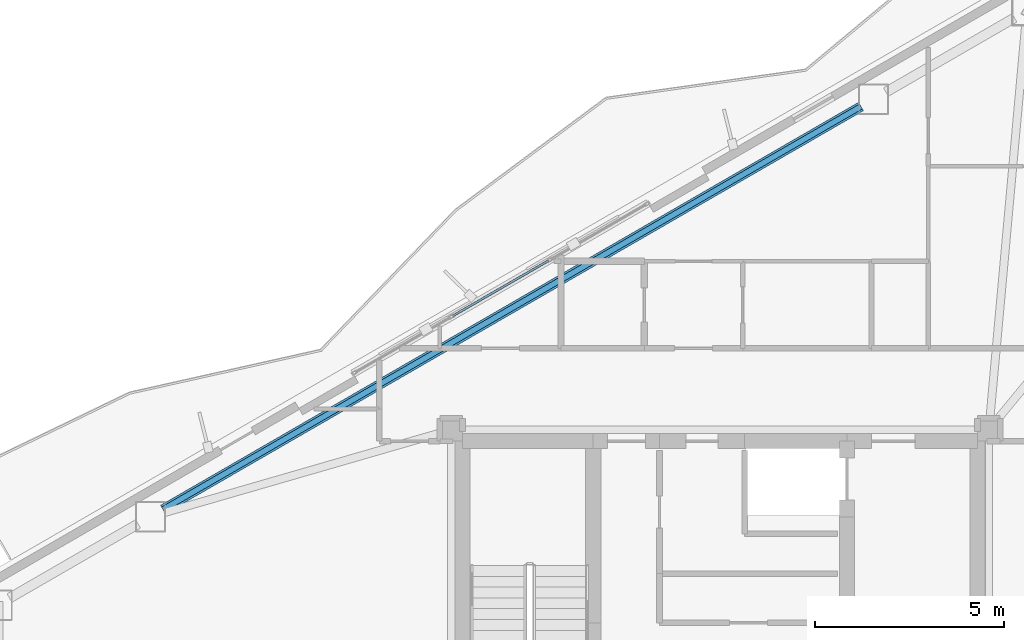
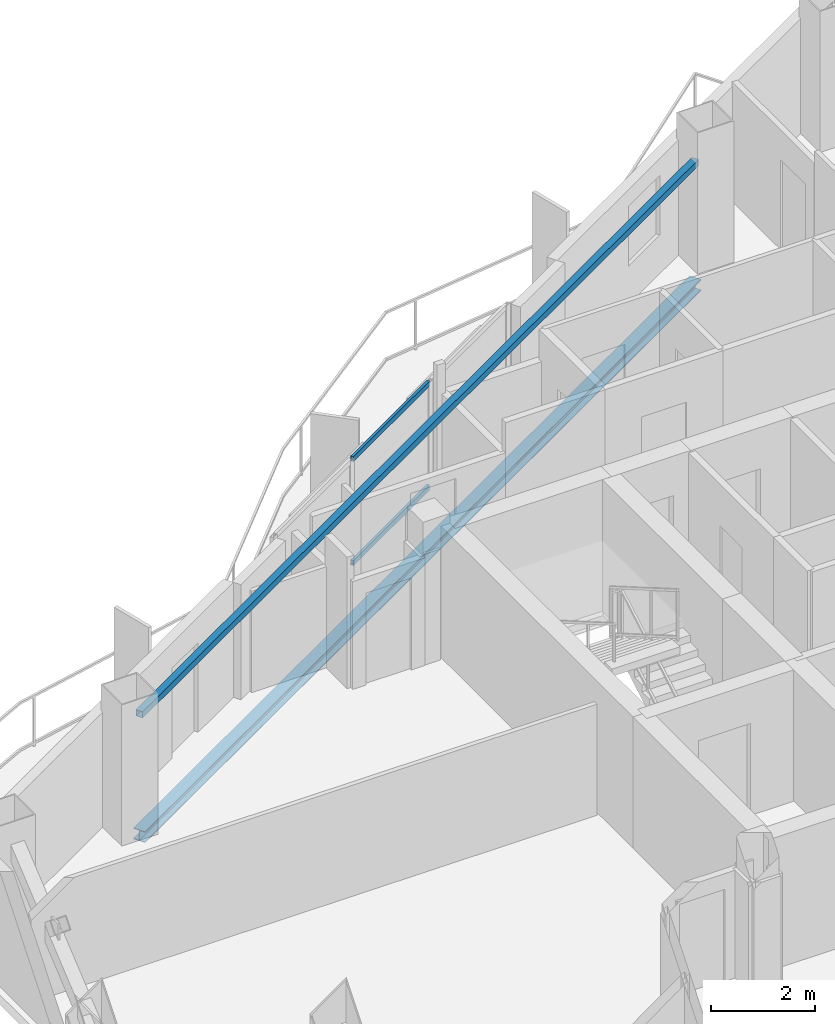
# One storey, part 9 of 22: 2 beams, 2 members, 1 element without a shape of its own.
"""IFC4 building model written with IfcOpenShell, lengths in metres."""

import ifcopenshell
import ifcopenshell.guid

model = None  # the IFC model being written
_history = None  # IfcOwnerHistory: only IFC2X3 demands one
_inside = {}  # id of a spatial element -> (the spatial element, [elements in it])
_under = {}  # id of a project, library or spatial element -> (it, [spatial elements below it])
_declared = {}  # id of a project -> (the project, [libraries it declares])
_typed = {}  # id of a type object -> (the type object, [elements of that type])
_made_of = {}  # id of a material, layer set ... -> (it, [elements and type objects made of it])


def new_model(schema):
    """Start an empty IFC model of exactly this schema.

    Asked for "IFC4X3", IfcOpenShell would pick the latest addendum, in which some entities
    have other attributes; the version numbers below select the first issue.
    IFC2X3 requires an IfcOwnerHistory on every rooted entity: one is made here for all.
    """
    global model, _history
    if schema == "IFC4X3":
        model = ifcopenshell.file(schema_version=(4, 3, 0, 0))
    else:
        model = ifcopenshell.file(schema=schema)
    _inside.clear()
    _under.clear()
    _declared.clear()
    _typed.clear()
    _made_of.clear()
    _history = None
    if model.schema == "IFC2X3":
        org = make("IfcOrganization", Name="unknown")
        user = make(
            "IfcPersonAndOrganization",
            ThePerson=make("IfcPerson", FamilyName="unknown"),
            TheOrganization=org,
        )
        app = make(
            "IfcApplication",
            ApplicationDeveloper=org,
            Version="unknown",
            ApplicationFullName="unknown",
            ApplicationIdentifier="unknown",
        )
        _history = make(
            "IfcOwnerHistory",
            OwningUser=user,
            OwningApplication=app,
            ChangeAction="ADDED",
            CreationDate=0,
        )
    return model


def make(cls, **values):
    """One entity of the class cls with the attributes given. An attribute that is None is left unset."""
    return model.create_entity(
        cls, **{name: value for name, value in values.items() if value is not None}
    )


def rooted(cls, **values):
    """An entity with a GlobalId (a new one), such as an element, a storey or a relation."""
    return make(cls, GlobalId=ifcopenshell.guid.new(), OwnerHistory=_history, **values)


def si_unit(unit_type, name, prefix=None):
    """IfcSIUnit, for example si_unit("LENGTHUNIT", "METRE", prefix="MILLI")."""
    return make("IfcSIUnit", UnitType=unit_type, Prefix=prefix, Name=name)


def assignment(units):
    """IfcUnitAssignment: the units of a project."""
    return None if units is None else make("IfcUnitAssignment", Units=units)


def point(xyz):
    """IfcCartesianPoint."""
    return None if xyz is None else make("IfcCartesianPoint", Coordinates=xyz)


def direction(xyz):
    """IfcDirection."""
    return None if xyz is None else make("IfcDirection", DirectionRatios=xyz)


def frame(location, z_axis=None, x_axis=None):
    """IfcAxis2Placement3D, a coordinate frame: its origin and axes. An axis left out is left unset."""
    return make(
        "IfcAxis2Placement3D",
        Location=point(location),
        Axis=direction(z_axis),
        RefDirection=direction(x_axis),
    )


def frame_2d(location, x_axis=None):
    """IfcAxis2Placement2D, a coordinate frame in the plane: its origin and x axis."""
    return make(
        "IfcAxis2Placement2D", Location=point(location), RefDirection=direction(x_axis)
    )


def origin():
    """The frame at (0, 0, 0) with its axes left unset."""
    return frame((0.0, 0.0, 0.0))


def origin_2d():
    """The frame at (0, 0) in the plane with its x axis left unset."""
    return frame_2d((0.0, 0.0))


def place(relative_to, where):
    """IfcLocalPlacement: puts the frame where relative to a parent placement (None: the world)."""
    return make(
        "IfcLocalPlacement", PlacementRelTo=relative_to, RelativePlacement=where
    )


def context(
    kind, dimensions, precision=None, world=None, true_north=None, identifier=None
):
    """IfcGeometricRepresentationContext, for example the 3D "Model" context."""
    return make(
        "IfcGeometricRepresentationContext",
        ContextIdentifier=identifier,
        ContextType=kind,
        CoordinateSpaceDimension=dimensions,
        Precision=precision,
        WorldCoordinateSystem=world,
        TrueNorth=true_north,
    )


def subcontext(parent, identifier, kind, view, scale=None):
    """IfcGeometricRepresentationSubContext, for example "Body" below "Model"."""
    return make(
        "IfcGeometricRepresentationSubContext",
        ContextIdentifier=identifier,
        ContextType=kind,
        ParentContext=parent,
        TargetScale=scale,
        TargetView=view,
    )


def project(units=None, contexts=None):
    """IfcProject with its units and contexts."""
    return rooted(
        "IfcProject",
        Name="project",
        RepresentationContexts=contexts,
        UnitsInContext=assignment(units),
    )


def spatial(cls, under=None, at=None, **own):
    """A site, building, storey or space (cls), placed at a placement, below another one or the project."""
    s = rooted(cls, ObjectPlacement=at, **own)
    if under is not None:
        _under.setdefault(under.id(), (under, []))[1].append(s)
    return s


def profile(cls, at=None, kind="AREA", **sizes):
    """A parametric profile (cls). Its sizes go by their IFC names, for example OverallWidth=200.0."""
    return make(cls, ProfileType=kind, Position=at, **sizes)


def hollow_rectangle(**sizes):
    """IfcRectangleHollowProfileDef."""
    return profile("IfcRectangleHollowProfileDef", **sizes)


def i_section(**sizes):
    """IfcIShapeProfileDef."""
    return profile("IfcIShapeProfileDef", **sizes)


def extrude(swept, where, along, depth):
    """IfcExtrudedAreaSolid: the profile swept, set in the frame where, extruded along a direction by depth."""
    return make(
        "IfcExtrudedAreaSolid",
        SweptArea=swept,
        Position=where,
        ExtrudedDirection=direction(along),
        Depth=depth,
    )


def shape(context_of_items, identifier, shape_type, items):
    """IfcShapeRepresentation: the items that make up one representation, for example the "Body"."""
    return make(
        "IfcShapeRepresentation",
        ContextOfItems=context_of_items,
        RepresentationIdentifier=identifier,
        RepresentationType=shape_type,
        Items=items,
    )


def material(Name=None, Category=None):
    """IfcMaterial."""
    return make("IfcMaterial", Name=Name, Category=Category)


def layer(
    of_material, thickness, ventilated=None, Name=None, Category=None, Priority=None
):
    """IfcMaterialLayer: one layer of a wall or slab, of a material (None: an air gap)."""
    return make(
        "IfcMaterialLayer",
        Material=of_material,
        LayerThickness=thickness,
        IsVentilated=ventilated,
        Name=Name,
        Category=Category,
        Priority=Priority,
    )


def layer_set(layers, Name=None):
    """IfcMaterialLayerSet."""
    return make("IfcMaterialLayerSet", MaterialLayers=layers, LayerSetName=Name)


def material_profile(
    of_material, cross_section, Name=None, Category=None, Priority=None
):
    """IfcMaterialProfile: a cross section and its material."""
    return make(
        "IfcMaterialProfile",
        Name=Name,
        Material=of_material,
        Profile=cross_section,
        Priority=Priority,
        Category=Category,
    )


def profile_set(profiles, Name=None, composite=None):
    """IfcMaterialProfileSet."""
    return make(
        "IfcMaterialProfileSet",
        Name=Name,
        MaterialProfiles=profiles,
        CompositeProfile=composite,
    )


def made_of(thing, what):
    """Note that an element or type object is made of a material, layer set ...; save() writes the relation."""
    if what is not None:
        _made_of.setdefault(what.id(), (what, []))[1].append(thing)
    return thing


def type_object(cls, material=None, **own):
    """A type object (cls), such as IfcWallType, which elements share."""
    return made_of(rooted(cls, **own), material)


def element(
    cls,
    number,
    at=None,
    inside=None,
    cuts=None,
    type_object=None,
    material=None,
    context=None,
    identifier="Body",
    shape_type=None,
    held_by="IfcProductDefinitionShape",
    body=None,
    shapes=None,
    **own,
):
    """One element of the class cls, such as IfcWall. Its Tag is "e" and its number.

    at: its placement. inside: the storey or other place that contains it. cuts: it is an
    opening in that element (IfcRelVoidsElement). A single representation is given by context,
    identifier, shape_type and body (its items); several are given by shapes. held_by: the class
    of the entity that holds the representations. save() writes the other relations.
    """
    e = rooted(cls, Tag="e%d" % number, ObjectPlacement=at, **own)
    if body is not None:
        shapes = [shape(context, identifier, shape_type, body)]
    if shapes is not None:
        e.Representation = make(held_by, Representations=shapes)
    if inside is not None:
        _inside.setdefault(inside.id(), (inside, []))[1].append(e)
    if cuts is not None:
        rooted(
            "IfcRelVoidsElement", RelatingBuildingElement=cuts, RelatedOpeningElement=e
        )
    if type_object is not None:
        _typed.setdefault(type_object.id(), (type_object, []))[1].append(e)
    return made_of(e, material)


def aggregate(whole, parts):
    """IfcRelAggregates: a whole, such as a stair, and the parts it consists of."""
    return rooted("IfcRelAggregates", RelatingObject=whole, RelatedObjects=parts)


def save(model, path):
    """Write the relations noted so far, then the file.

    IfcRelAggregates (storeys below a building ...), IfcRelContainedInSpatialStructure (elements
    in a storey), IfcRelDefinesByType, IfcRelAssociatesMaterial and IfcRelDeclares: one each for
    every whole, place, type object, material and project.
    """
    for whole, parts in _under.values():
        aggregate(whole, parts)
    for where, things in _inside.values():
        rooted(
            "IfcRelContainedInSpatialStructure",
            RelatedElements=things,
            RelatingStructure=where,
        )
    for kind, things in _typed.values():
        rooted("IfcRelDefinesByType", RelatedObjects=things, RelatingType=kind)
    for what, things in _made_of.values():
        rooted("IfcRelAssociatesMaterial", RelatedObjects=things, RelatingMaterial=what)
    for by, libraries in _declared.values():
        rooted("IfcRelDeclares", RelatingContext=by, RelatedDefinitions=libraries)
    model.write(path)


model = new_model("IFC4")

# Units and contexts
model_context = context("Model", 3, precision=1e-05, world=origin(), true_north=direction((0.0, 1.0)))
body_context = subcontext(model_context, "Body", "Model", "MODEL_VIEW")
ifc_project = project(units=[si_unit("LENGTHUNIT", "METRE"), si_unit("AREAUNIT", "SQUARE_METRE"), si_unit("VOLUMEUNIT", "CUBIC_METRE"), si_unit("PLANEANGLEUNIT", "RADIAN"), si_unit("MASSUNIT", "GRAM", prefix="KILO")], contexts=[model_context])

# Site, building, storey
site_placement = place(None, origin())
site = spatial("IfcSite", under=ifc_project, at=site_placement, CompositionType="ELEMENT")
building_placement = place(site_placement, origin())
building = spatial("IfcBuilding", under=site, at=building_placement, Name="Mersakhor Tower and Convention Hall", CompositionType="ELEMENT")
storey_placement = place(building_placement, frame((0.0, 0.0, 205.199951171875)))
storey = spatial("IfcBuildingStorey", under=building, at=storey_placement, Name="L57", CompositionType="ELEMENT", Elevation=205.199951171875)

# Beams
ifc_material_1 = material(Name="Steel S355", Category="steel")
ifc_material_profile_1 = material_profile(ifc_material_1, hollow_rectangle(XDim=0.14990234375, YDim=0.14990234375, WallThickness=0.010009765625, at=origin_2d()), Name="SHS 150x150x10")
ifc_profile_set_1 = profile_set([ifc_material_profile_1], Name="Steel S355")
beam_type_1 = type_object("IfcBeamType", Name="BM-GRT-SHS150", PredefinedType="USERDEFINED", material=ifc_profile_set_1)
beam_1_placement = place(storey_placement, frame((14.288818359375, 30.94482421875, 2.47998046875), z_axis=(0.866024569776, 0.500001444543, 0.0), x_axis=(-0.500001444543, 0.866024569776, 0.0)))
element("IfcBeam", 1, at=beam_1_placement, inside=storey, type_object=beam_type_1, Name="L57 Facade Support Girt GRT-F1", ObjectType="GIRT", PredefinedType="USERDEFINED", context=body_context, shape_type="SweptSolid", body=[
    extrude(hollow_rectangle(XDim=0.14990234375, YDim=0.14990234375, WallThickness=0.010009765625, at=origin_2d()), origin(), (0.0, 0.0, 1.0), 21.28564453125),
])
ifc_material_2 = material(Name="Steel S355", Category="steel")
ifc_material_profile_2 = material_profile(ifc_material_2, i_section(OverallWidth=0.25634765625, OverallDepth=0.26025390625, WebThickness=0.01025390625, FlangeThickness=0.017333984375, at=origin_2d()), Name="UC 254x254x89")
ifc_profile_set_2 = profile_set([ifc_material_profile_2], Name="Steel S355")
beam_type_2 = type_object("IfcBeamType", Name="BM-SPD-UC254", PredefinedType="SPANDREL", material=ifc_profile_set_2)
beam_2_placement = place(storey_placement, frame((14.288818359375, 30.94482421875, -0.360107421875), z_axis=(0.866024569776, 0.500001444543, 0.0), x_axis=(-0.500001444543, 0.866024569776, 0.0)))
element("IfcBeam", 2, at=beam_2_placement, inside=storey, type_object=beam_type_2, Name="L57 Perimeter Spandrel Beam SPB-02", PredefinedType="SPANDREL", context=body_context, shape_type="SweptSolid", body=[
    extrude(i_section(OverallWidth=0.25634765625, OverallDepth=0.26025390625, WebThickness=0.01025390625, FlangeThickness=0.017333984375, at=origin_2d()), origin(), (0.0, 0.0, 1.0), 21.28564453125),
])

# Curtain wall, members
ifc_material_3 = material(Name="Dark solar low-E aluminium curtain wall", Category="aluminium")
ifc_layer = layer(ifc_material_3, 0.169921875)
ifc_layer_set = layer_set([ifc_layer], Name="Dark solar low-E aluminium curtain wall")
curtain_wall_type = type_object("IfcCurtainWallType", Name="CW-SYS-02", PredefinedType="USERDEFINED", material=ifc_layer_set)
curtain_wall_placement = place(storey_placement, origin())
curtain_wall = element("IfcCurtainWall", 3, at=curtain_wall_placement, inside=storey, type_object=curtain_wall_type, Name="L57 Dark-Glass Curtain Wall F1-B2", ObjectType="CURTAIN WALL", PredefinedType="USERDEFINED")
ifc_material_4 = material(Name="Anodised aluminium EN AW-6063 T6", Category="aluminium")
ifc_material_profile_3 = material_profile(ifc_material_4, hollow_rectangle(XDim=0.06005859375, YDim=0.1201171875, WallThickness=0.0048828125, at=origin_2d()), Name="RHS 120x60x5")
ifc_profile_set_3 = profile_set([ifc_material_profile_3], Name="Anodised aluminium EN AW-6063 T6")
member_type = type_object("IfcMemberType", Name="CWT-120x60", PredefinedType="USERDEFINED", material=ifc_profile_set_3)
member_1_placement = place(storey_placement, frame((21.939453125, 36.0546875, 0.22998046875), z_axis=(0.866004860328, 0.500035580622, 0.0), x_axis=(-0.500035580622, 0.866004860328, 0.0)))
member_1 = element("IfcMember", 4, at=member_1_placement, type_object=member_type, Name="CW-02 transom 2.1", ObjectType="TRANSOM", PredefinedType="USERDEFINED", context=body_context, shape_type="SweptSolid", body=[
    extrude(hollow_rectangle(XDim=0.06005859375, YDim=0.1201171875, WallThickness=0.0048828125, at=origin_2d()), origin(), (0.0, 0.0, 1.0), 2.924560546875),
])
member_2_placement = place(storey_placement, frame((21.939453125, 36.0546875, 2.66015625), z_axis=(0.866004860328, 0.500035580622, 0.0), x_axis=(-0.500035580622, 0.866004860328, 0.0)))
member_2 = element("IfcMember", 5, at=member_2_placement, type_object=member_type, Name="CW-02 transom 2.2", ObjectType="TRANSOM", PredefinedType="USERDEFINED", context=body_context, shape_type="SweptSolid", body=[
    extrude(hollow_rectangle(XDim=0.06005859375, YDim=0.1201171875, WallThickness=0.0048828125, at=origin_2d()), origin(), (0.0, 0.0, 1.0), 2.924560546875),
])
aggregate(curtain_wall, [member_1, member_2])

save(model, "model.ifc")
